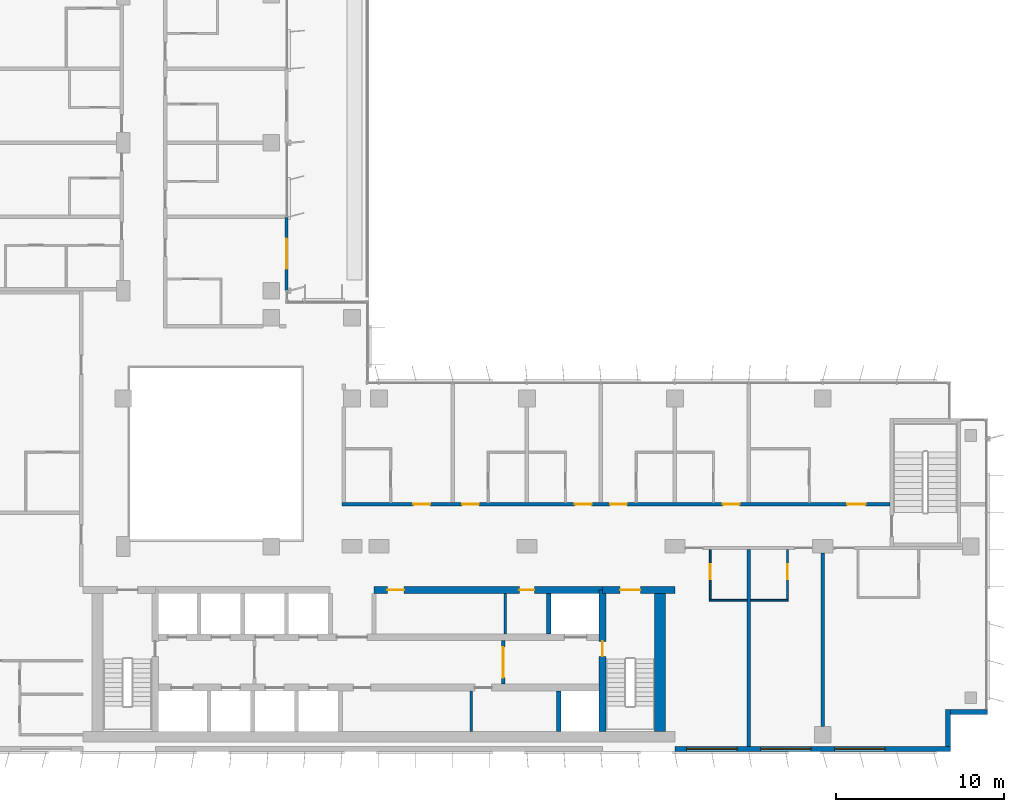
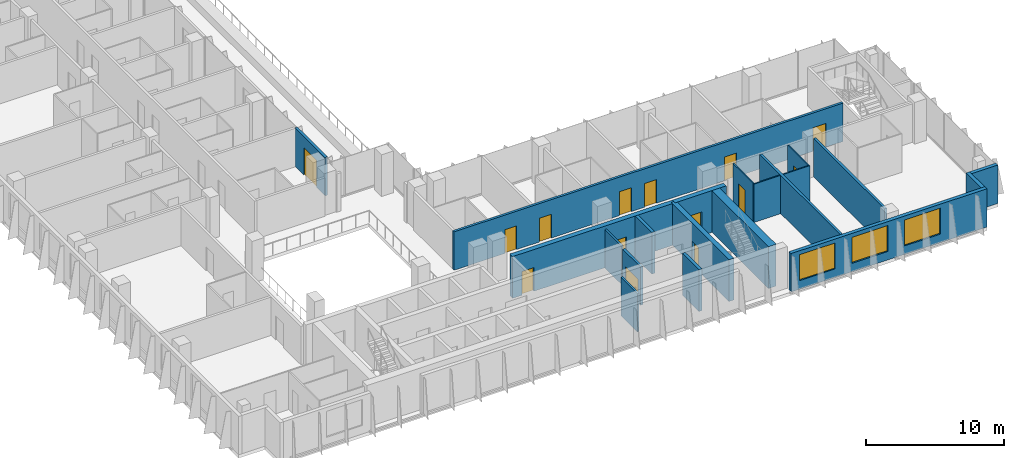
# One storey, part 13 of 22: 20 walls, 14 doors, 3 windows, 17 openings.
"""IFC4 building model written with IfcOpenShell, lengths in metres."""

from ifc_helpers import new_model, si_unit, direction, frame, frame_2d, origin, place, context, subcontext, project, spatial, rectangle, extrude, material, layer, layer_set, type_object, element, fill, save


model = new_model("IFC4")

# Units and contexts
model_context = context("Model", 3, precision=1e-05, world=origin(), true_north=direction((0.0, 1.0)))
body_context = subcontext(model_context, "Body", "Model", "MODEL_VIEW")
ifc_project = project(units=[si_unit("LENGTHUNIT", "METRE"), si_unit("AREAUNIT", "SQUARE_METRE"), si_unit("VOLUMEUNIT", "CUBIC_METRE"), si_unit("PLANEANGLEUNIT", "RADIAN"), si_unit("MASSUNIT", "GRAM", prefix="KILO")], contexts=[model_context])

# Site, building, storey
site_placement = place(None, origin())
site = spatial("IfcSite", under=ifc_project, at=site_placement, CompositionType="ELEMENT")
building_placement = place(site_placement, origin())
building = spatial("IfcBuilding", under=site, at=building_placement, Name="Kemantara Hotel Tower", CompositionType="ELEMENT")
storey_placement = place(building_placement, frame((0.0, 0.0, 153.10009765625)))
storey = spatial("IfcBuildingStorey", under=building, at=storey_placement, Name="L37", CompositionType="ELEMENT", Elevation=153.10009765625)

# Wall, openings, windows
ifc_material_1 = material(Name="Bronze anodised aluminium cladding on insulated steel stud wall", Category="steel")
ifc_layer_1 = layer(ifc_material_1, 0.300048828125)
ifc_layer_set_1 = layer_set([ifc_layer_1], Name="Bronze anodised aluminium cladding on insulated steel stud wall")
wall_type_1 = type_object("IfcWallType", Name="BRONZE METAL-CLAD EXTERNAL WALL 300", PredefinedType="STANDARD", material=ifc_layer_set_1)
wall_1_placement = place(storey_placement, frame((45.0, 0.14990234375, 0.0), z_axis=(0.0, 0.0, 1.0), x_axis=(1.0, 0.0, 0.0)))
wall_1 = element("IfcWall", 1, at=wall_1_placement, inside=storey, type_object=wall_type_1, Name="EXTERNAL WALL L37 T3-R08-3", PredefinedType="STANDARD", context=body_context, shape_type="SweptSolid", body=[
    extrude(rectangle(XDim=16.39990234375, YDim=0.300048828125, at=frame_2d((8.199951171875, 0.0))), origin(), (0.0, 0.0, 1.0), 3.39990234375),
])
opening_1_placement = place(wall_1_placement, frame((0.699951171875, 0.0, 0.75)))
opening_1 = element("IfcOpeningElement", 2, at=opening_1_placement, cuts=wall_1, Name="Opening W1", PredefinedType="OPENING", context=body_context, shape_type="SweptSolid", body=[
    extrude(rectangle(XDim=3.0, YDim=2.300048828125, at=frame_2d((1.5, 1.14990234375))), frame((0.0, 0.159912109375, 0.0), z_axis=(0.0, -1.0, 0.0), x_axis=(1.0, 0.0, 0.0)), (0.0, 0.0, 1.0), 0.320068359375),
])
opening_2_placement = place(wall_1_placement, frame((5.10009765625, 0.0, 0.75)))
opening_2 = element("IfcOpeningElement", 3, at=opening_2_placement, cuts=wall_1, Name="Opening W1", PredefinedType="OPENING", context=body_context, shape_type="SweptSolid", body=[
    extrude(rectangle(XDim=3.0, YDim=2.300048828125, at=frame_2d((1.5, 1.14990234375))), frame((0.0, 0.159912109375, 0.0), z_axis=(0.0, -1.0, 0.0), x_axis=(1.0, 0.0, 0.0)), (0.0, 0.0, 1.0), 0.320068359375),
])
opening_3_placement = place(wall_1_placement, frame((9.5, 0.0, 0.75)))
opening_3 = element("IfcOpeningElement", 4, at=opening_3_placement, cuts=wall_1, Name="Opening W1", PredefinedType="OPENING", context=body_context, shape_type="SweptSolid", body=[
    extrude(rectangle(XDim=3.0, YDim=2.300048828125, at=frame_2d((1.5, 1.14990234375))), frame((0.0, 0.159912109375, 0.0), z_axis=(0.0, -1.0, 0.0), x_axis=(1.0, 0.0, 0.0)), (0.0, 0.0, 1.0), 0.320068359375),
])
ifc_material_2 = material(Name="Low-E tinted double insulated glass in bronze anodised aluminium frame", Category="aluminium")
window_type = type_object("IfcWindowType", Name="CHICAGO WINDOW, TRIPLE PANEL 3000x2300", PartitioningType="TRIPLE_PANEL_VERTICAL", PredefinedType="WINDOW", material=ifc_material_2)
window_1_placement = place(opening_1_placement, origin())
window_1 = element("IfcWindow", 5, at=window_1_placement, inside=storey, type_object=window_type, Name="CHICAGO WINDOW L37 T3-R08-450", OverallHeight=2.300048828125, OverallWidth=3.0, PartitioningType="SINGLE_PANEL", PredefinedType="WINDOW", context=body_context, shape_type="SweptSolid", body=[
    extrude(rectangle(XDim=3.0, YDim=2.300048828125, at=frame_2d((1.5, 1.14990234375))), frame((0.0, 0.030029296875, 0.0), z_axis=(0.0, -1.0, 0.0), x_axis=(1.0, 0.0, 0.0)), (0.0, 0.0, 1.0), 0.06005859375),
])
fill(opening_1, window_1)
window_2_placement = place(opening_2_placement, origin())
window_2 = element("IfcWindow", 6, at=window_2_placement, inside=storey, type_object=window_type, Name="CHICAGO WINDOW L37 T3-R08-494", OverallHeight=2.300048828125, OverallWidth=3.0, PartitioningType="SINGLE_PANEL", PredefinedType="WINDOW", context=body_context, shape_type="SweptSolid", body=[
    extrude(rectangle(XDim=3.0, YDim=2.300048828125, at=frame_2d((1.5, 1.14990234375))), frame((0.0, 0.030029296875, 0.0), z_axis=(0.0, -1.0, 0.0), x_axis=(1.0, 0.0, 0.0)), (0.0, 0.0, 1.0), 0.06005859375),
])
fill(opening_2, window_2)
window_3_placement = place(opening_3_placement, origin())
window_3 = element("IfcWindow", 7, at=window_3_placement, inside=storey, type_object=window_type, Name="CHICAGO WINDOW L37 T3-R08-538", OverallHeight=2.300048828125, OverallWidth=3.0, PartitioningType="SINGLE_PANEL", PredefinedType="WINDOW", context=body_context, shape_type="SweptSolid", body=[
    extrude(rectangle(XDim=3.0, YDim=2.300048828125, at=frame_2d((1.5, 1.14990234375))), frame((0.0, 0.030029296875, 0.0), z_axis=(0.0, -1.0, 0.0), x_axis=(1.0, 0.0, 0.0)), (0.0, 0.0, 1.0), 0.06005859375),
])
fill(opening_3, window_3)

# Walls
wall_2_placement = place(storey_placement, frame((61.25, 0.300048828125, 0.0), z_axis=(0.0, 0.0, 1.0), x_axis=(0.0, 1.0, 0.0)))
element("IfcWall", 8, at=wall_2_placement, inside=storey, type_object=wall_type_1, Name="EXTERNAL WALL L37 T3-R09", PredefinedType="STANDARD", context=body_context, shape_type="SweptSolid", body=[
    extrude(rectangle(XDim=2.199951171875, YDim=0.300048828125, at=frame_2d((1.10009765625, 0.0))), origin(), (0.0, 0.0, 1.0), 3.39990234375),
])
wall_3_placement = place(storey_placement, frame((61.39990234375, 2.35009765625, 0.0), z_axis=(0.0, 0.0, 1.0), x_axis=(1.0, 0.0, 0.0)))
element("IfcWall", 9, at=wall_3_placement, inside=storey, type_object=wall_type_1, Name="EXTERNAL WALL L37 T3-R10", PredefinedType="STANDARD", context=body_context, shape_type="SweptSolid", body=[
    extrude(rectangle(XDim=2.2001953125, YDim=0.300048828125, at=frame_2d((1.10009765625, 0.0))), origin(), (0.0, 0.0, 1.0), 3.39990234375),
])
ifc_material_3 = material(Name="Concrete fc 60 MPa", Category="concrete")
ifc_layer_2 = layer(ifc_material_3, 0.25)
ifc_layer_set_2 = layer_set([ifc_layer_2], Name="Concrete fc 60 MPa")
wall_type_2 = type_object("IfcWallType", Name="CORE WALL 250 FC60", PredefinedType="SHEAR", material=ifc_layer_set_2)
wall_4_placement = place(storey_placement, frame((38.10009765625, 1.199951171875, 0.0), z_axis=(0.0, 0.0, 1.0), x_axis=(0.0, 1.0, 0.0)))
element("IfcWall", 10, at=wall_4_placement, inside=storey, type_object=wall_type_2, Name="CORE WALL CW-DS38.1", PredefinedType="SHEAR", context=body_context, shape_type="SweptSolid", body=[
    extrude(rectangle(XDim=2.400146484375, YDim=0.25, at=frame_2d((1.2001953125, 0.0))), origin(), (0.0, 0.0, 1.0), 3.699951171875),
])
wall_5_placement = place(storey_placement, frame((37.5, 7.0, 0.0), z_axis=(0.0, 0.0, 1.0), x_axis=(0.0, 1.0, 0.0)))
element("IfcWall", 11, at=wall_5_placement, inside=storey, type_object=wall_type_2, Name="CORE WALL CW-DN37.5", PredefinedType="SHEAR", context=body_context, shape_type="SweptSolid", body=[
    extrude(rectangle(XDim=2.39990234375, YDim=0.25, at=frame_2d((1.199951171875, 0.0))), origin(), (0.0, 0.0, 1.0), 3.699951171875),
])

# Wall, opening, door
ifc_layer_3 = layer(ifc_material_3, 0.39990234375)
ifc_layer_set_3 = layer_set([ifc_layer_3], Name="Concrete fc 60 MPa")
wall_type_3 = type_object("IfcWallType", Name="CORE WALL 400 FC60", PredefinedType="SHEAR", material=ifc_layer_set_3)
wall_6_placement = place(storey_placement, frame((40.699951171875, 9.60009765625, 0.0), z_axis=(0.0, 0.0, 1.0), x_axis=(1.0, 0.0, 0.0)))
wall_6 = element("IfcWall", 12, at=wall_6_placement, inside=storey, type_object=wall_type_3, Name="CORE WALL CW-N2", PredefinedType="SHEAR", context=body_context, shape_type="SweptSolid", body=[
    extrude(rectangle(XDim=4.300048828125, YDim=0.39990234375, at=frame_2d((2.14990234375, 0.0))), origin(), (0.0, 0.0, 1.0), 3.699951171875),
])
opening_4_placement = place(wall_6_placement, frame((1.050048828125, 0.0, 0.0)))
opening_4 = element("IfcOpeningElement", 13, at=opening_4_placement, cuts=wall_6, Name="Opening C24-ST2-C", PredefinedType="OPENING", context=body_context, shape_type="SweptSolid", body=[
    extrude(rectangle(XDim=1.199951171875, YDim=2.10009765625, at=frame_2d((0.60009765625, 1.050048828125))), frame((0.0, 0.2099609375, 0.0), z_axis=(0.0, -1.0, 0.0), x_axis=(1.0, 0.0, 0.0)), (0.0, 0.0, 1.0), 0.419921875),
])
ifc_material_4 = material(Name="Steel fire door", Category="steel")
door_type_1 = type_object("IfcDoorType", Name="Fire door FD90 1200 x 2100", OperationType="NOTDEFINED", PredefinedType="DOOR", material=ifc_material_4)
door_1_placement = place(opening_4_placement, frame((1.199951171875, 0.0, 0.0), z_axis=(0.0, 0.0, 1.0), x_axis=(-1.0, 0.0, 0.0)))
door_1 = element("IfcDoor", 14, at=door_1_placement, inside=storey, type_object=door_type_1, Name="Stair ST2 door to corridor", OperationType="SINGLE_SWING_RIGHT", OverallHeight=2.10009765625, OverallWidth=1.199951171875, PredefinedType="DOOR", context=body_context, shape_type="SweptSolid", body=[
    extrude(rectangle(XDim=1.199951171875, YDim=2.10009765625, at=frame_2d((0.60009765625, 1.050048828125))), frame((0.0, 0.02490234375, 0.0), z_axis=(0.0, -1.0, 0.0), x_axis=(1.0, 0.0, 0.0)), (0.0, 0.0, 1.0), 0.050048828125),
])
fill(opening_4, door_1)

# Wall, openings, doors
wall_7_placement = place(storey_placement, frame((27.10009765625, 9.60009765625, 0.0), z_axis=(0.0, 0.0, 1.0), x_axis=(1.0, 0.0, 0.0)))
wall_7 = element("IfcWall", 15, at=wall_7_placement, inside=storey, type_object=wall_type_3, Name="CORE WALL CW-NN2", PredefinedType="SHEAR", context=body_context, shape_type="SweptSolid", body=[
    extrude(rectangle(XDim=13.599853515625, YDim=0.39990234375, at=frame_2d((6.7998046875, 0.0))), origin(), (0.0, 0.0, 1.0), 3.699951171875),
])
opening_5_placement = place(wall_7_placement, frame((0.800048828125, 0.0, 0.0)))
opening_5 = element("IfcOpeningElement", 16, at=opening_5_placement, cuts=wall_7, Name="Opening C24-R-NE1", PredefinedType="OPENING", context=body_context, shape_type="SweptSolid", body=[
    extrude(rectangle(XDim=1.0, YDim=2.10009765625, at=frame_2d((0.5, 1.050048828125))), frame((0.0, 0.2099609375, 0.0), z_axis=(0.0, -1.0, 0.0), x_axis=(1.0, 0.0, 0.0)), (0.0, 0.0, 1.0), 0.419921875),
])
opening_6_placement = place(wall_7_placement, frame((8.64990234375, 0.0, 0.0)))
opening_6 = element("IfcOpeningElement", 17, at=opening_6_placement, cuts=wall_7, Name="Opening C24-R-NE2", PredefinedType="OPENING", context=body_context, shape_type="SweptSolid", body=[
    extrude(rectangle(XDim=0.89990234375, YDim=2.10009765625, at=frame_2d((0.449951171875, 1.050048828125))), frame((0.0, 0.2099609375, 0.0), z_axis=(0.0, -1.0, 0.0), x_axis=(1.0, 0.0, 0.0)), (0.0, 0.0, 1.0), 0.419921875),
])
door_type_2 = type_object("IfcDoorType", Name="Fire door FD30S 1000 x 2100", OperationType="NOTDEFINED", PredefinedType="DOOR", material=ifc_material_4)
door_2_placement = place(opening_5_placement, frame((1.0, 0.0, 0.0), z_axis=(0.0, 0.0, 1.0), x_axis=(-1.0, 0.0, 0.0)))
door_2 = element("IfcDoor", 18, at=door_2_placement, inside=storey, type_object=door_type_2, Name="Linen Store door", OperationType="SINGLE_SWING_RIGHT", OverallHeight=2.10009765625, OverallWidth=1.0, PredefinedType="DOOR", context=body_context, shape_type="SweptSolid", body=[
    extrude(rectangle(XDim=1.0, YDim=2.10009765625, at=frame_2d((0.5, 1.050048828125))), frame((0.0, 0.02490234375, 0.0), z_axis=(0.0, -1.0, 0.0), x_axis=(1.0, 0.0, 0.0)), (0.0, 0.0, 1.0), 0.050048828125),
])
fill(opening_5, door_2)
door_type_3 = type_object("IfcDoorType", Name="Fire door FD60 900 x 2100", OperationType="NOTDEFINED", PredefinedType="DOOR", material=ifc_material_4)
door_3_placement = place(opening_6_placement, frame((0.89990234375, 0.0, 0.0), z_axis=(0.0, 0.0, 1.0), x_axis=(-1.0, 0.0, 0.0)))
door_3 = element("IfcDoor", 19, at=door_3_placement, inside=storey, type_object=door_type_3, Name="It Equipment Room door", OperationType="SINGLE_SWING_LEFT", OverallHeight=2.10009765625, OverallWidth=0.89990234375, PredefinedType="DOOR", context=body_context, shape_type="SweptSolid", body=[
    extrude(rectangle(XDim=0.89990234375, YDim=2.10009765625, at=frame_2d((0.449951171875, 1.050048828125))), frame((0.0, 0.02490234375, 0.0), z_axis=(0.0, -1.0, 0.0), x_axis=(1.0, 0.0, 0.0)), (0.0, 0.0, 1.0), 0.050048828125),
])
fill(opening_6, door_3)

# Wall, opening, door
wall_8_placement = place(storey_placement, frame((40.699951171875, 1.199951171875, 0.0), z_axis=(0.0, 0.0, 1.0), x_axis=(0.0, 1.0, 0.0)))
wall_8 = element("IfcWall", 20, at=wall_8_placement, inside=storey, type_object=wall_type_3, Name="CORE WALL CW-ST2W", PredefinedType="SHEAR", context=body_context, shape_type="SweptSolid", body=[
    extrude(rectangle(XDim=8.400146484375, YDim=0.39990234375, at=frame_2d((4.2001953125, 0.0))), origin(), (0.0, 0.0, 1.0), 3.699951171875),
])
opening_7_placement = place(wall_8_placement, frame((4.449951171875, 0.0, 0.0)))
opening_7 = element("IfcOpeningElement", 21, at=opening_7_placement, cuts=wall_8, Name="Opening C24-ST2-F", PredefinedType="OPENING", context=body_context, shape_type="SweptSolid", body=[
    extrude(rectangle(XDim=0.89990234375, YDim=2.10009765625, at=frame_2d((0.449951171875, 1.050048828125))), frame((0.0, 0.2099609375, 0.0), z_axis=(0.0, -1.0, 0.0), x_axis=(1.0, 0.0, 0.0)), (0.0, 0.0, 1.0), 0.419921875),
])
door_type_4 = type_object("IfcDoorType", Name="Fire door FD90 900 x 2100", OperationType="NOTDEFINED", PredefinedType="DOOR", material=ifc_material_4)
door_4_placement = place(opening_7_placement, frame((0.89990234375, 0.0, 0.0), z_axis=(0.0, 0.0, 1.0), x_axis=(-1.0, 0.0, 0.0)))
door_4 = element("IfcDoor", 22, at=door_4_placement, inside=storey, type_object=door_type_4, Name="Stair ST2 door to firefighting lobby", OperationType="SINGLE_SWING_LEFT", OverallHeight=2.10009765625, OverallWidth=0.89990234375, PredefinedType="DOOR", context=body_context, shape_type="SweptSolid", body=[
    extrude(rectangle(XDim=0.89990234375, YDim=2.10009765625, at=frame_2d((0.449951171875, 1.050048828125))), frame((0.0, 0.02490234375, 0.0), z_axis=(0.0, -1.0, 0.0), x_axis=(1.0, 0.0, 0.0)), (0.0, 0.0, 1.0), 0.050048828125),
])
fill(opening_7, door_4)

# Wall
ifc_layer_4 = layer(ifc_material_3, 0.64990234375)
ifc_layer_set_4 = layer_set([ifc_layer_4], Name="Concrete fc 60 MPa")
wall_type_4 = type_object("IfcWallType", Name="CORE WALL 650 FC60", PredefinedType="SHEAR", material=ifc_layer_set_4)
wall_9_placement = place(storey_placement, frame((44.125, 1.199951171875, 0.0), z_axis=(0.0, 0.0, 1.0), x_axis=(0.0, 1.0, 0.0)))
element("IfcWall", 23, at=wall_9_placement, inside=storey, type_object=wall_type_4, Name="CORE WALL CW-E", PredefinedType="SHEAR", context=body_context, shape_type="SweptSolid", body=[
    extrude(rectangle(XDim=8.60009765625, YDim=0.64990234375, at=frame_2d((4.300048828125, 0.0))), origin(), (0.0, 0.0, 1.0), 3.699951171875),
])

# Wall, openings, doors
ifc_material_5 = material(Name="Gypsum board partition, steel studs and mineral wool, 200 mm", Category="steel")
ifc_layer_5 = layer(ifc_material_5, 0.199951171875)
ifc_layer_set_5 = layer_set([ifc_layer_5], Name="Gypsum board partition, steel studs and mineral wool, 200 mm")
wall_type_5 = type_object("IfcWallType", Name="CORRIDOR WALL 200", PredefinedType="PARTITIONING", material=ifc_layer_set_5)
wall_10_placement = place(storey_placement, frame((25.199951171875, 14.699951171875, 0.0), z_axis=(0.0, 0.0, 1.0), x_axis=(1.0, 0.0, 0.0)))
wall_10 = element("IfcWall", 24, at=wall_10_placement, inside=storey, type_object=wall_type_5, Name="CORRIDOR WALL 200 006", PredefinedType="PARTITIONING", context=body_context, shape_type="SweptSolid", body=[
    extrude(rectangle(XDim=32.60009765625, YDim=0.199951171875, at=frame_2d((16.300048828125, 0.0))), origin(), (0.0, 0.0, 1.0), 3.39990234375),
])
opening_8_placement = place(wall_10_placement, frame((4.25, 0.0, 0.0)))
opening_8 = element("IfcOpeningElement", 25, at=opening_8_placement, cuts=wall_10, Name="Opening F17-007", PredefinedType="OPENING", context=body_context, shape_type="SweptSolid", body=[
    extrude(rectangle(XDim=1.0, YDim=2.10009765625, at=frame_2d((0.5, 1.050048828125))), frame((0.0, 0.10986328125, 0.0), z_axis=(0.0, -1.0, 0.0), x_axis=(1.0, 0.0, 0.0)), (0.0, 0.0, 1.0), 0.219970703125),
])
opening_9_placement = place(wall_10_placement, frame((7.14990234375, 0.0, 0.0)))
opening_9 = element("IfcOpeningElement", 26, at=opening_9_placement, cuts=wall_10, Name="Opening F17-009", PredefinedType="OPENING", context=body_context, shape_type="SweptSolid", body=[
    extrude(rectangle(XDim=1.0, YDim=2.10009765625, at=frame_2d((0.5, 1.050048828125))), frame((0.0, 0.10986328125, 0.0), z_axis=(0.0, -1.0, 0.0), x_axis=(1.0, 0.0, 0.0)), (0.0, 0.0, 1.0), 0.219970703125),
])
opening_10_placement = place(wall_10_placement, frame((13.85009765625, 0.0, 0.0)))
opening_10 = element("IfcOpeningElement", 27, at=opening_10_placement, cuts=wall_10, Name="Opening F17-011", PredefinedType="OPENING", context=body_context, shape_type="SweptSolid", body=[
    extrude(rectangle(XDim=1.0, YDim=2.10009765625, at=frame_2d((0.5, 1.050048828125))), frame((0.0, 0.10986328125, 0.0), z_axis=(0.0, -1.0, 0.0), x_axis=(1.0, 0.0, 0.0)), (0.0, 0.0, 1.0), 0.219970703125),
])
opening_11_placement = place(wall_10_placement, frame((15.949951171875, 0.0, 0.0)))
opening_11 = element("IfcOpeningElement", 28, at=opening_11_placement, cuts=wall_10, Name="Opening F17-013", PredefinedType="OPENING", context=body_context, shape_type="SweptSolid", body=[
    extrude(rectangle(XDim=1.0, YDim=2.10009765625, at=frame_2d((0.5, 1.050048828125))), frame((0.0, 0.10986328125, 0.0), z_axis=(0.0, -1.0, 0.0), x_axis=(1.0, 0.0, 0.0)), (0.0, 0.0, 1.0), 0.219970703125),
])
opening_12_placement = place(wall_10_placement, frame((22.64990234375, 0.0, 0.0)))
opening_12 = element("IfcOpeningElement", 29, at=opening_12_placement, cuts=wall_10, Name="Opening F17-015", PredefinedType="OPENING", context=body_context, shape_type="SweptSolid", body=[
    extrude(rectangle(XDim=1.0, YDim=2.10009765625, at=frame_2d((0.5, 1.050048828125))), frame((0.0, 0.10986328125, 0.0), z_axis=(0.0, -1.0, 0.0), x_axis=(1.0, 0.0, 0.0)), (0.0, 0.0, 1.0), 0.219970703125),
])
opening_13_placement = place(wall_10_placement, frame((30.050048828125, 0.0, 0.0)))
opening_13 = element("IfcOpeningElement", 30, at=opening_13_placement, cuts=wall_10, Name="Opening F17-017", PredefinedType="OPENING", context=body_context, shape_type="SweptSolid", body=[
    extrude(rectangle(XDim=1.10009765625, YDim=2.10009765625, at=frame_2d((0.550048828125, 1.050048828125))), frame((0.0, 0.10986328125, 0.0), z_axis=(0.0, -1.0, 0.0), x_axis=(1.0, 0.0, 0.0)), (0.0, 0.0, 1.0), 0.219970703125),
])
ifc_material_6 = material(Name="Hardwood veneer door leaf with steel frame", Category="steel")
door_type_5 = type_object("IfcDoorType", Name="GUEST ROOM DOOR 1000 X 2100 FD30S", OperationType="NOTDEFINED", PredefinedType="DOOR", material=ifc_material_6)
door_5_placement = place(opening_8_placement, origin())
door_5 = element("IfcDoor", 31, at=door_5_placement, inside=storey, type_object=door_type_5, Name="GUEST ROOM DOOR F17-007", OperationType="SINGLE_SWING_RIGHT", OverallHeight=2.10009765625, OverallWidth=1.0, PredefinedType="DOOR", context=body_context, shape_type="SweptSolid", body=[
    extrude(rectangle(XDim=1.0, YDim=2.10009765625, at=frame_2d((0.5, 1.050048828125))), frame((0.0, 0.02490234375, 0.0), z_axis=(0.0, -1.0, 0.0), x_axis=(1.0, 0.0, 0.0)), (0.0, 0.0, 1.0), 0.050048828125),
])
fill(opening_8, door_5)
door_6_placement = place(opening_9_placement, origin())
door_6 = element("IfcDoor", 32, at=door_6_placement, inside=storey, type_object=door_type_5, Name="GUEST ROOM DOOR F17-009", OperationType="SINGLE_SWING_LEFT", OverallHeight=2.10009765625, OverallWidth=1.0, PredefinedType="DOOR", context=body_context, shape_type="SweptSolid", body=[
    extrude(rectangle(XDim=1.0, YDim=2.10009765625, at=frame_2d((0.5, 1.050048828125))), frame((0.0, 0.02490234375, 0.0), z_axis=(0.0, -1.0, 0.0), x_axis=(1.0, 0.0, 0.0)), (0.0, 0.0, 1.0), 0.050048828125),
])
fill(opening_9, door_6)
door_7_placement = place(opening_10_placement, origin())
door_7 = element("IfcDoor", 33, at=door_7_placement, inside=storey, type_object=door_type_5, Name="GUEST ROOM DOOR F17-011", OperationType="SINGLE_SWING_RIGHT", OverallHeight=2.10009765625, OverallWidth=1.0, PredefinedType="DOOR", context=body_context, shape_type="SweptSolid", body=[
    extrude(rectangle(XDim=1.0, YDim=2.10009765625, at=frame_2d((0.5, 1.050048828125))), frame((0.0, 0.02490234375, 0.0), z_axis=(0.0, -1.0, 0.0), x_axis=(1.0, 0.0, 0.0)), (0.0, 0.0, 1.0), 0.050048828125),
])
fill(opening_10, door_7)
door_8_placement = place(opening_11_placement, origin())
door_8 = element("IfcDoor", 34, at=door_8_placement, inside=storey, type_object=door_type_5, Name="GUEST ROOM DOOR F17-013", OperationType="SINGLE_SWING_LEFT", OverallHeight=2.10009765625, OverallWidth=1.0, PredefinedType="DOOR", context=body_context, shape_type="SweptSolid", body=[
    extrude(rectangle(XDim=1.0, YDim=2.10009765625, at=frame_2d((0.5, 1.050048828125))), frame((0.0, 0.02490234375, 0.0), z_axis=(0.0, -1.0, 0.0), x_axis=(1.0, 0.0, 0.0)), (0.0, 0.0, 1.0), 0.050048828125),
])
fill(opening_11, door_8)
door_9_placement = place(opening_12_placement, origin())
door_9 = element("IfcDoor", 35, at=door_9_placement, inside=storey, type_object=door_type_5, Name="GUEST ROOM DOOR F17-015", OperationType="SINGLE_SWING_RIGHT", OverallHeight=2.10009765625, OverallWidth=1.0, PredefinedType="DOOR", context=body_context, shape_type="SweptSolid", body=[
    extrude(rectangle(XDim=1.0, YDim=2.10009765625, at=frame_2d((0.5, 1.050048828125))), frame((0.0, 0.02490234375, 0.0), z_axis=(0.0, -1.0, 0.0), x_axis=(1.0, 0.0, 0.0)), (0.0, 0.0, 1.0), 0.050048828125),
])
fill(opening_12, door_9)
door_type_6 = type_object("IfcDoorType", Name="SUITE ENTRANCE DOOR 1100 X 2100 FD30S", OperationType="NOTDEFINED", PredefinedType="DOOR", material=ifc_material_6)
door_10_placement = place(opening_13_placement, origin())
door_10 = element("IfcDoor", 36, at=door_10_placement, inside=storey, type_object=door_type_6, Name="SUITE ENTRANCE DOOR F17-017", OperationType="SINGLE_SWING_RIGHT", OverallHeight=2.10009765625, OverallWidth=1.10009765625, PredefinedType="DOOR", context=body_context, shape_type="SweptSolid", body=[
    extrude(rectangle(XDim=1.10009765625, YDim=2.10009765625, at=frame_2d((0.550048828125, 1.050048828125))), frame((0.0, 0.02490234375, 0.0), z_axis=(0.0, -1.0, 0.0), x_axis=(1.0, 0.0, 0.0)), (0.0, 0.0, 1.0), 0.050048828125),
])
fill(opening_13, door_10)

# Walls
ifc_layer_6 = layer(ifc_material_5, 0.199951171875)
ifc_layer_set_6 = layer_set([ifc_layer_6], Name="Gypsum board partition, steel studs and mineral wool, 200 mm")
wall_type_6 = type_object("IfcWallType", Name="GUEST ROOM PARTY WALL 200", PredefinedType="PARTITIONING", material=ifc_layer_set_6)
wall_11_placement = place(storey_placement, frame((49.39990234375, 0.31005859375, 0.0), z_axis=(0.0, 0.0, 1.0), x_axis=(0.0, 1.0, 0.0)))
element("IfcWall", 37, at=wall_11_placement, inside=storey, type_object=wall_type_6, Name="GUEST ROOM PARTY WALL 200 003", PredefinedType="PARTITIONING", context=body_context, shape_type="SweptSolid", body=[
    extrude(rectangle(XDim=11.68994140625, YDim=0.199951171875, at=frame_2d((5.844970703125, 0.0))), origin(), (0.0, 0.0, 1.0), 3.39990234375),
])
wall_12_placement = place(storey_placement, frame((53.800048828125, 1.5, 0.0), z_axis=(0.0, 0.0, 1.0), x_axis=(0.0, 1.0, 0.0)))
element("IfcWall", 38, at=wall_12_placement, inside=storey, type_object=wall_type_6, Name="GUEST ROOM PARTY WALL 200 005", PredefinedType="PARTITIONING", context=body_context, shape_type="SweptSolid", body=[
    extrude(rectangle(XDim=10.2998046875, YDim=0.199951171875, at=frame_2d((5.14990234375, 0.0))), origin(), (0.0, 0.0, 1.0), 3.39990234375),
])
ifc_material_7 = material(Name="Gypsum board partition")
ifc_layer_7 = layer(ifc_material_7, 0.14990234375)
ifc_layer_set_7 = layer_set([ifc_layer_7], Name="Gypsum board partition")
wall_type_7 = type_object("IfcWallType", Name="Gypsum board partition 150 mm", PredefinedType="PARTITIONING", material=ifc_layer_set_7)
wall_13_placement = place(storey_placement, frame((34.89990234375, 7.0, 0.0), z_axis=(0.0, 0.0, 1.0), x_axis=(0.0, 1.0, 0.0)))
element("IfcWall", 39, at=wall_13_placement, inside=storey, type_object=wall_type_7, Name="Core room partition", PredefinedType="PARTITIONING", context=body_context, shape_type="SweptSolid", body=[
    extrude(rectangle(XDim=2.39990234375, YDim=0.14990234375, at=frame_2d((1.199951171875, 0.0))), origin(), (0.0, 0.0, 1.0), 3.39990234375),
])
wall_14_placement = place(storey_placement, frame((32.89990234375, 1.199951171875, 0.0), z_axis=(0.0, 0.0, 1.0), x_axis=(0.0, 1.0, 0.0)))
element("IfcWall", 40, at=wall_14_placement, inside=storey, type_object=wall_type_7, Name="Core room partition", PredefinedType="PARTITIONING", context=body_context, shape_type="SweptSolid", body=[
    extrude(rectangle(XDim=2.400146484375, YDim=0.14990234375, at=frame_2d((1.2001953125, 0.0))), origin(), (0.0, 0.0, 1.0), 3.39990234375),
])

# Wall, opening, door
ifc_material_8 = material(Name="Gypsum board shaft wall")
ifc_layer_8 = layer(ifc_material_8, 0.199951171875)
ifc_layer_set_8 = layer_set([ifc_layer_8], Name="Gypsum board shaft wall")
wall_type_8 = type_object("IfcWallType", Name="Gypsum board shaft wall 200 mm", PredefinedType="PARTITIONING", material=ifc_layer_set_8)
wall_15_placement = place(storey_placement, frame((34.800048828125, 4.0, 0.0), z_axis=(0.0, 0.0, 1.0), x_axis=(0.0, 1.0, 0.0)))
wall_15 = element("IfcWall", 41, at=wall_15_placement, inside=storey, type_object=wall_type_8, Name="Firefighting lobby partition east", PredefinedType="PARTITIONING", context=body_context, shape_type="SweptSolid", body=[
    extrude(rectangle(XDim=2.60009765625, YDim=0.199951171875, at=frame_2d((1.300048828125, 0.0))), origin(), (0.0, 0.0, 1.0), 3.39990234375),
])
opening_14_placement = place(wall_15_placement, frame((0.39990234375, 0.0, 0.0)))
opening_14 = element("IfcOpeningElement", 42, at=opening_14_placement, cuts=wall_15, Name="Opening C24-FFE", PredefinedType="OPENING", context=body_context, shape_type="SweptSolid", body=[
    extrude(rectangle(XDim=1.800048828125, YDim=2.10009765625, at=frame_2d((0.89990234375, 1.050048828125))), frame((0.0, 0.10986328125, 0.0), z_axis=(0.0, -1.0, 0.0), x_axis=(1.0, 0.0, 0.0)), (0.0, 0.0, 1.0), 0.219970703125),
])
door_type_7 = type_object("IfcDoorType", Name="Fire door pair FD60 1800 x 2100", OperationType="DOUBLE_DOOR_SINGLE_SWING", PredefinedType="DOOR", material=ifc_material_4)
door_11_placement = place(opening_14_placement, frame((1.800048828125, 0.0, 0.0), z_axis=(0.0, 0.0, 1.0), x_axis=(-1.0, 0.0, 0.0)))
door_11 = element("IfcDoor", 43, at=door_11_placement, inside=storey, type_object=door_type_7, Name="Firefighting lobby door east", OperationType="DOUBLE_DOOR_SINGLE_SWING", OverallHeight=2.10009765625, OverallWidth=1.800048828125, PredefinedType="DOOR", context=body_context, shape_type="SweptSolid", body=[
    extrude(rectangle(XDim=1.800048828125, YDim=2.10009765625, at=frame_2d((0.89990234375, 1.050048828125))), frame((0.0, 0.02490234375, 0.0), z_axis=(0.0, -1.0, 0.0), x_axis=(1.0, 0.0, 0.0)), (0.0, 0.0, 1.0), 0.050048828125),
])
fill(opening_14, door_11)

# Walls
ifc_material_9 = material(Name="Gypsum board partition on steel studs, 100 mm", Category="steel")
ifc_layer_9 = layer(ifc_material_9, 0.10009765625)
ifc_layer_set_9 = layer_set([ifc_layer_9], Name="Gypsum board partition on steel studs, 100 mm")
wall_type_9 = type_object("IfcWallType", Name="ROOM PARTITION 100", PredefinedType="PARTITIONING", material=ifc_layer_set_9)
for number, where, z_axis, x_axis, name in (
    (44, (47.050048828125, 9.0, 0.0), (0.0, 0.0, 1.0), (1.0, 0.0, 0.0), "ROOM PARTITION 100 036"),
    (45, (49.5, 9.0, 0.0), (0.0, 0.0, 1.0), (1.0, 0.0, 0.0), "ROOM PARTITION 100 037"),
):
    element("IfcWall", number, at=place(storey_placement, frame(where, z_axis=z_axis, x_axis=x_axis)), inside=storey, type_object=wall_type_9, Name=name, PredefinedType="PARTITIONING", context=body_context, shape_type="SweptSolid", body=[
        extrude(rectangle(XDim=2.25, YDim=0.10009765625, at=frame_2d((1.125, 0.0))), origin(), (0.0, 0.0, 1.0), 3.39990234375),
    ])

# Wall, opening, door
wall_16_placement = place(storey_placement, frame((47.10009765625, 12.0, 0.0), z_axis=(0.0, 0.0, 1.0), x_axis=(0.0, -1.0, 0.0)))
wall_16 = element("IfcWall", 46, at=wall_16_placement, inside=storey, type_object=wall_type_9, Name="ROOM PARTITION 100 038", PredefinedType="PARTITIONING", context=body_context, shape_type="SweptSolid", body=[
    extrude(rectangle(XDim=2.949951171875, YDim=0.10009765625, at=frame_2d((1.47509765625, 0.0))), origin(), (0.0, 0.0, 1.0), 3.39990234375),
])
opening_15_placement = place(wall_16_placement, frame((0.85009765625, 0.0, 0.0)))
opening_15 = element("IfcOpeningElement", 47, at=opening_15_placement, cuts=wall_16, Name="Opening F17-002", PredefinedType="OPENING", context=body_context, shape_type="SweptSolid", body=[
    extrude(rectangle(XDim=0.89990234375, YDim=2.10009765625, at=frame_2d((0.449951171875, 1.050048828125))), frame((0.0, 0.06005859375, 0.0), z_axis=(0.0, -1.0, 0.0), x_axis=(1.0, 0.0, 0.0)), (0.0, 0.0, 1.0), 0.1201171875),
])
door_type_8 = type_object("IfcDoorType", Name="BATHROOM DOOR 900 X 2100", OperationType="NOTDEFINED", PredefinedType="DOOR", material=ifc_material_6)
door_12_placement = place(opening_15_placement, origin())
door_12 = element("IfcDoor", 48, at=door_12_placement, inside=storey, type_object=door_type_8, Name="BATHROOM DOOR F17-002", OperationType="SINGLE_SWING_LEFT", OverallHeight=2.10009765625, OverallWidth=0.89990234375, PredefinedType="DOOR", context=body_context, shape_type="SweptSolid", body=[
    extrude(rectangle(XDim=0.89990234375, YDim=2.10009765625, at=frame_2d((0.449951171875, 1.050048828125))), frame((0.0, 0.02490234375, 0.0), z_axis=(0.0, -1.0, 0.0), x_axis=(1.0, 0.0, 0.0)), (0.0, 0.0, 1.0), 0.050048828125),
])
fill(opening_15, door_12)

wall_17_placement = place(storey_placement, frame((51.699951171875, 9.050048828125, 0.0), z_axis=(0.0, 0.0, 1.0), x_axis=(0.0, 1.0, 0.0)))
wall_17 = element("IfcWall", 49, at=wall_17_placement, inside=storey, type_object=wall_type_9, Name="ROOM PARTITION 100 039", PredefinedType="PARTITIONING", context=body_context, shape_type="SweptSolid", body=[
    extrude(rectangle(XDim=2.949951171875, YDim=0.10009765625, at=frame_2d((1.47509765625, 0.0))), origin(), (0.0, 0.0, 1.0), 3.39990234375),
])
opening_16_placement = place(wall_17_placement, frame((1.199951171875, 0.0, 0.0)))
opening_16 = element("IfcOpeningElement", 50, at=opening_16_placement, cuts=wall_17, Name="Opening F17-004", PredefinedType="OPENING", context=body_context, shape_type="SweptSolid", body=[
    extrude(rectangle(XDim=0.89990234375, YDim=2.10009765625, at=frame_2d((0.449951171875, 1.050048828125))), frame((0.0, 0.06005859375, 0.0), z_axis=(0.0, -1.0, 0.0), x_axis=(1.0, 0.0, 0.0)), (0.0, 0.0, 1.0), 0.1201171875),
])
door_13_placement = place(opening_16_placement, origin())
door_13 = element("IfcDoor", 51, at=door_13_placement, inside=storey, type_object=door_type_8, Name="BATHROOM DOOR F17-004", OperationType="SINGLE_SWING_RIGHT", OverallHeight=2.10009765625, OverallWidth=0.89990234375, PredefinedType="DOOR", context=body_context, shape_type="SweptSolid", body=[
    extrude(rectangle(XDim=0.89990234375, YDim=2.10009765625, at=frame_2d((0.449951171875, 1.050048828125))), frame((0.0, 0.02490234375, 0.0), z_axis=(0.0, -1.0, 0.0), x_axis=(1.0, 0.0, 0.0)), (0.0, 0.0, 1.0), 0.050048828125),
])
fill(opening_16, door_13)

ifc_material_10 = material(Name="Bronze ceramic cladding on insulated steel stud wall", Category="steel")
ifc_layer_10 = layer(ifc_material_10, 0.199951171875)
ifc_layer_set_10 = layer_set([ifc_layer_10], Name="Bronze ceramic cladding on insulated steel stud wall")
wall_type_10 = type_object("IfcWallType", Name="TERRACE DOOR BAY WALL 200", PredefinedType="STANDARD", material=ifc_layer_set_10)
wall_18_placement = place(storey_placement, frame((21.89990234375, 27.429931640625, 0.0), z_axis=(0.0, 0.0, 1.0), x_axis=(0.0, 1.0, 0.0)))
wall_18 = element("IfcWall", 52, at=wall_18_placement, inside=storey, type_object=wall_type_10, Name="TERRACE DOOR BAY WALL L37 T3-R17-1", PredefinedType="STANDARD", context=body_context, shape_type="SweptSolid", body=[
    extrude(rectangle(XDim=4.340087890625, YDim=0.199951171875, at=frame_2d((2.169921875, 0.0))), origin(), (0.0, 0.0, 1.0), 3.39990234375),
])
opening_17_placement = place(wall_18_placement, frame((1.27001953125, 0.0, 0.0)))
opening_17 = element("IfcOpeningElement", 53, at=opening_17_placement, cuts=wall_18, Name="Opening TD-L37-01", PredefinedType="OPENING", context=body_context, shape_type="SweptSolid", body=[
    extrude(rectangle(XDim=1.800048828125, YDim=2.39990234375, at=frame_2d((0.89990234375, 1.199951171875))), frame((0.0, 0.10986328125, 0.0), z_axis=(0.0, -1.0, 0.0), x_axis=(1.0, 0.0, 0.0)), (0.0, 0.0, 1.0), 0.219970703125),
])
ifc_material_11 = material(Name="Toughened tinted glass in bronze anodised aluminium frame", Category="aluminium")
door_type_9 = type_object("IfcDoorType", Name="TERRACE DOOR, DOUBLE LEAF GLAZED 1800x2400", OperationType="DOUBLE_DOOR_SINGLE_SWING", PredefinedType="DOOR", material=ifc_material_11)
door_14_placement = place(opening_17_placement, origin())
door_14 = element("IfcDoor", 54, at=door_14_placement, inside=storey, type_object=door_type_9, Name="TERRACE DOOR L37 T3-R17-1", OperationType="SINGLE_SWING_LEFT", OverallHeight=2.39990234375, OverallWidth=1.800048828125, PredefinedType="DOOR", context=body_context, shape_type="SweptSolid", body=[
    extrude(rectangle(XDim=1.800048828125, YDim=2.39990234375, at=frame_2d((0.89990234375, 1.199951171875))), frame((0.0, 0.02490234375, 0.0), z_axis=(0.0, -1.0, 0.0), x_axis=(1.0, 0.0, 0.0)), (0.0, 0.0, 1.0), 0.050048828125),
])
fill(opening_17, door_14)

save(model, "model.ifc")
